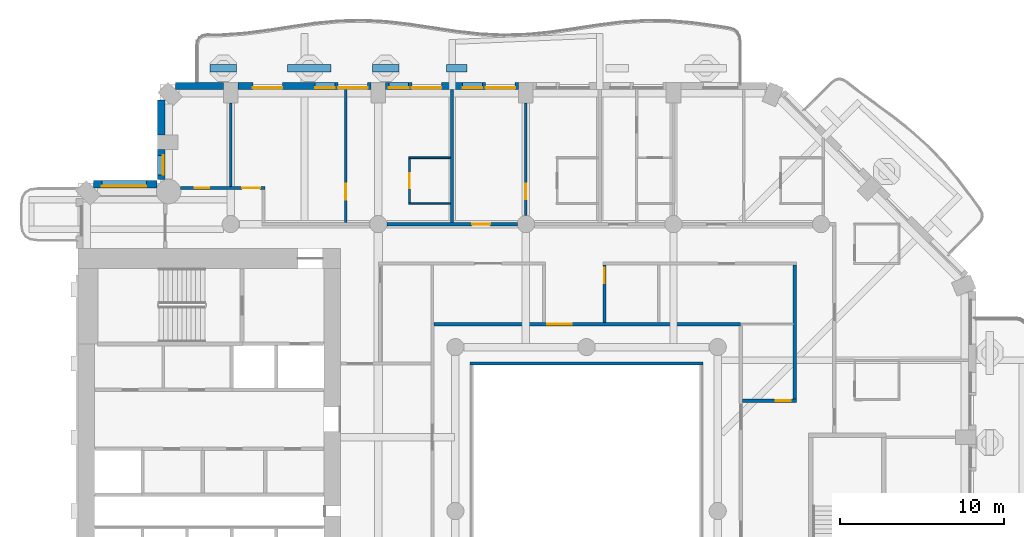
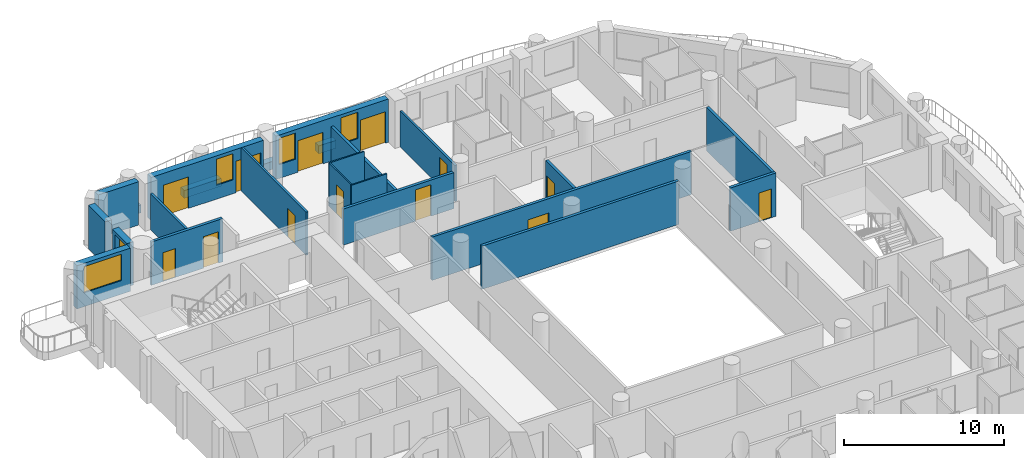
# One storey, part 8 of 20: 24 walls, 13 doors, 5 windows, 18 openings.
"""IFC4 building model written with IfcOpenShell, lengths in metres."""

from ifc_helpers import new_model, si_unit, direction, frame, frame_2d, origin, place, context, subcontext, project, spatial, rectangle, extrude, material, layer, layer_set, type_object, element, fill, save


model = new_model("IFC4")

# Units and contexts
model_context = context("Model", 3, precision=1e-05, world=origin(), true_north=direction((0.0, 1.0)))
body_context = subcontext(model_context, "Body", "Model", "MODEL_VIEW")
ifc_project = project(units=[si_unit("LENGTHUNIT", "METRE"), si_unit("AREAUNIT", "SQUARE_METRE"), si_unit("VOLUMEUNIT", "CUBIC_METRE"), si_unit("PLANEANGLEUNIT", "RADIAN"), si_unit("MASSUNIT", "GRAM", prefix="KILO")], contexts=[model_context])

# Site, building, storey
site_placement = place(None, origin())
site = spatial("IfcSite", under=ifc_project, at=site_placement, CompositionType="ELEMENT")
building_placement = place(site_placement, origin())
building = spatial("IfcBuilding", under=site, at=building_placement, Name="Cypress Arch Tower", CompositionType="ELEMENT")
storey_placement = place(building_placement, frame((0.0, 0.0, 134.699951171875)))
storey = spatial("IfcBuildingStorey", under=building, at=storey_placement, Name="L29", CompositionType="ELEMENT", Elevation=134.699951171875)

# Walls
ifc_material_1 = material(Name="Concrete C40/50, waterproofed", Category="concrete")
ifc_layer_1 = layer(ifc_material_1, 0.449951171875)
ifc_layer_set_1 = layer_set([ifc_layer_1], Name="Balcony planter wall PW450")
wall_type_1 = type_object("IfcWallType", Name="Balcony planter wall PW450", PredefinedType="SOLIDWALL", material=ifc_layer_set_1)
wall_1_placement = place(storey_placement, frame((-6.300048828125, 27.0, 0.0), z_axis=(0.0, 0.0, 1.0), x_axis=(-1.0, 0.0, 0.0)))
element("IfcWall", 1, at=wall_1_placement, inside=storey, type_object=wall_type_1, Name="Balcony planter wall L29-A08.3", PredefinedType="SOLIDWALL", context=body_context, shape_type="SweptSolid", body=[
    extrude(rectangle(XDim=1.25, YDim=0.449951171875, at=frame_2d((0.625, 0.0))), origin(), (0.0, 0.0, 1.0), 0.60009765625),
])
wall_2_placement = place(storey_placement, frame((-10.4375, 27.0, 0.0), z_axis=(0.0, 0.0, 1.0), x_axis=(-1.0, 0.0, 0.0)))
element("IfcWall", 2, at=wall_2_placement, inside=storey, type_object=wall_type_1, Name="Balcony planter wall L29-A08.4", PredefinedType="SOLIDWALL", context=body_context, shape_type="SweptSolid", body=[
    extrude(rectangle(XDim=1.612548828125, YDim=0.449951171875, at=frame_2d((0.80615234375, 0.0))), origin(), (0.0, 0.0, 1.0), 0.60009765625),
])
wall_3_placement = place(storey_placement, frame((-14.574951171875, 27.0, 0.0), z_axis=(0.0, 0.0, 1.0), x_axis=(-1.0, 0.0, 0.0)))
element("IfcWall", 3, at=wall_3_placement, inside=storey, type_object=wall_type_1, Name="Balcony planter wall L29-A08.5", PredefinedType="SOLIDWALL", context=body_context, shape_type="SweptSolid", body=[
    extrude(rectangle(XDim=2.675048828125, YDim=0.449951171875, at=frame_2d((1.33740234375, 0.0))), origin(), (0.0, 0.0, 1.0), 0.60009765625),
])
wall_4_placement = place(storey_placement, frame((-20.35009765625, 27.0, 0.0), z_axis=(0.0, 0.0, 1.0), x_axis=(-1.0, 0.0, 0.0)))
element("IfcWall", 4, at=wall_4_placement, inside=storey, type_object=wall_type_1, Name="Balcony planter wall L29-A08.6", PredefinedType="SOLIDWALL", context=body_context, shape_type="SweptSolid", body=[
    extrude(rectangle(XDim=1.599853515625, YDim=0.449951171875, at=frame_2d((0.7998046875, 0.0))), origin(), (0.0, 0.0, 1.0), 0.60009765625),
])

# Wall, openings, doors, windows
ifc_material_2 = material(Name="Brick (red buff blend)", Category="masonry")
ifc_layer_2 = layer(ifc_material_2, 0.449951171875)
ifc_layer_set_2 = layer_set([ifc_layer_2], Name="Brick pier and spandrel wall BW450")
wall_type_2 = type_object("IfcWallType", Name="Brick pier and spandrel wall BW450", PredefinedType="SOLIDWALL", material=ifc_layer_set_2)
wall_5_placement = place(storey_placement, frame((-3.14990234375, 25.925048828125, 0.0), z_axis=(0.0, 0.0, 1.0), x_axis=(-1.0, 0.0, 0.0)))
wall_5 = element("IfcWall", 5, at=wall_5_placement, inside=storey, type_object=wall_type_2, Name="Brick wall L29 A08.2", PredefinedType="SOLIDWALL", context=body_context, shape_type="SweptSolid", body=[
    extrude(rectangle(XDim=8.10009765625, YDim=0.449951171875, at=frame_2d((4.050048828125, 0.0))), origin(), (0.0, 0.0, 1.0), 3.300048828125),
])
opening_1_placement = place(wall_5_placement, frame((0.199951171875, 0.0, 0.0)))
opening_1 = element("IfcOpeningElement", 6, at=opening_1_placement, cuts=wall_5, Name="Opening D-L29-A08.2.1", PredefinedType="OPENING", context=body_context, shape_type="SweptSolid", body=[
    extrude(rectangle(XDim=1.800048828125, YDim=2.39990234375, at=frame_2d((0.89990234375, 1.199951171875))), frame((0.0, 0.23486328125, 0.0), z_axis=(0.0, -1.0, 0.0), x_axis=(1.0, 0.0, 0.0)), (0.0, 0.0, 1.0), 0.469970703125),
])
opening_2_placement = place(wall_5_placement, frame((2.199951171875, 0.0, 1.050048828125)))
opening_2 = element("IfcOpeningElement", 7, at=opening_2_placement, cuts=wall_5, Name="Opening W120HD", PredefinedType="OPENING", context=body_context, shape_type="SweptSolid", body=[
    extrude(rectangle(XDim=1.199951171875, YDim=2.0, at=frame_2d((0.60009765625, 1.0))), frame((0.0, 0.23486328125, 0.0), z_axis=(0.0, -1.0, 0.0), x_axis=(1.0, 0.0, 0.0)), (0.0, 0.0, 1.0), 0.469970703125),
])
opening_3_placement = place(wall_5_placement, frame((4.699951171875, 0.0, 0.0)))
opening_3 = element("IfcOpeningElement", 8, at=opening_3_placement, cuts=wall_5, Name="Opening D-L29-A08.2.2", PredefinedType="OPENING", context=body_context, shape_type="SweptSolid", body=[
    extrude(rectangle(XDim=1.800048828125, YDim=2.39990234375, at=frame_2d((0.89990234375, 1.199951171875))), frame((0.0, 0.23486328125, 0.0), z_axis=(0.0, -1.0, 0.0), x_axis=(1.0, 0.0, 0.0)), (0.0, 0.0, 1.0), 0.469970703125),
])
opening_4_placement = place(wall_5_placement, frame((6.699951171875, 0.0, 1.050048828125)))
opening_4 = element("IfcOpeningElement", 9, at=opening_4_placement, cuts=wall_5, Name="Opening W120HD", PredefinedType="OPENING", context=body_context, shape_type="SweptSolid", body=[
    extrude(rectangle(XDim=1.199951171875, YDim=2.0, at=frame_2d((0.60009765625, 1.0))), frame((0.0, 0.23486328125, 0.0), z_axis=(0.0, -1.0, 0.0), x_axis=(1.0, 0.0, 0.0)), (0.0, 0.0, 1.0), 0.469970703125),
])
ifc_material_3 = material(Name="Anodised aluminium, bronze finish, laminated low-emissivity double glazing, large-missile impact rated", Category="aluminium")
door_type_1 = type_object("IfcDoorType", Name="Balcony sliding door 1800x2400", OperationType="SLIDING_TO_LEFT", PredefinedType="DOOR", material=ifc_material_3)
door_1_placement = place(opening_1_placement, origin())
door_1 = element("IfcDoor", 10, at=door_1_placement, inside=storey, type_object=door_type_1, Name="Balcony door L29 A08.2.1", OperationType="SLIDING_TO_LEFT", OverallHeight=2.39990234375, OverallWidth=1.800048828125, PredefinedType="DOOR", context=body_context, shape_type="SweptSolid", body=[
    extrude(rectangle(XDim=1.800048828125, YDim=2.39990234375, at=frame_2d((0.89990234375, 1.199951171875))), frame((0.0, 0.1298828125, 0.0), z_axis=(0.0, -1.0, 0.0), x_axis=(1.0, 0.0, 0.0)), (0.0, 0.0, 1.0), 0.050048828125),
])
fill(opening_1, door_1)
door_2_placement = place(opening_3_placement, origin())
door_2 = element("IfcDoor", 11, at=door_2_placement, inside=storey, type_object=door_type_1, Name="Balcony door L29 A08.2.2", OperationType="SLIDING_TO_LEFT", OverallHeight=2.39990234375, OverallWidth=1.800048828125, PredefinedType="DOOR", context=body_context, shape_type="SweptSolid", body=[
    extrude(rectangle(XDim=1.800048828125, YDim=2.39990234375, at=frame_2d((0.89990234375, 1.199951171875))), frame((0.0, 0.1298828125, 0.0), z_axis=(0.0, -1.0, 0.0), x_axis=(1.0, 0.0, 0.0)), (0.0, 0.0, 1.0), 0.050048828125),
])
fill(opening_3, door_2)
ifc_material_4 = material(Name="Anodised aluminium, bronze finish, laminated low-emissivity double glazing, large-missile impact rated", Category="aluminium")
window_type_1 = type_object("IfcWindowType", Name="Window Hotel 1200x2000 debris-rated", PartitioningType="SINGLE_PANEL", PredefinedType="WINDOW", material=ifc_material_4)
window_1_placement = place(opening_2_placement, origin())
window_1 = element("IfcWindow", 12, at=window_1_placement, inside=storey, type_object=window_type_1, Name="Window L29 A08.2.1", OverallHeight=2.0, OverallWidth=1.199951171875, PartitioningType="SINGLE_PANEL", PredefinedType="WINDOW", context=body_context, shape_type="SweptSolid", body=[
    extrude(rectangle(XDim=1.199951171875, YDim=2.0, at=frame_2d((0.60009765625, 1.0))), frame((0.0, 0.135009765625, 0.0), z_axis=(0.0, -1.0, 0.0), x_axis=(1.0, 0.0, 0.0)), (0.0, 0.0, 1.0), 0.06005859375),
])
fill(opening_2, window_1)
window_2_placement = place(opening_4_placement, origin())
window_2 = element("IfcWindow", 13, at=window_2_placement, inside=storey, type_object=window_type_1, Name="Window L29 A08.2.2", OverallHeight=2.0, OverallWidth=1.199951171875, PartitioningType="SINGLE_PANEL", PredefinedType="WINDOW", context=body_context, shape_type="SweptSolid", body=[
    extrude(rectangle(XDim=1.199951171875, YDim=2.0, at=frame_2d((0.60009765625, 1.0))), frame((0.0, 0.135009765625, 0.0), z_axis=(0.0, -1.0, 0.0), x_axis=(1.0, 0.0, 0.0)), (0.0, 0.0, 1.0), 0.06005859375),
])
fill(opening_4, window_2)

# Wall, openings, doors, window
wall_6_placement = place(storey_placement, frame((-12.14990234375, 25.925048828125, 0.0), z_axis=(0.0, 0.0, 1.0), x_axis=(-1.0, 0.0, 0.0)))
wall_6 = element("IfcWall", 14, at=wall_6_placement, inside=storey, type_object=wall_type_2, Name="Brick wall L29 A08.3", PredefinedType="SOLIDWALL", context=body_context, shape_type="SweptSolid", body=[
    extrude(rectangle(XDim=8.10009765625, YDim=0.449951171875, at=frame_2d((4.050048828125, 0.0))), origin(), (0.0, 0.0, 1.0), 3.300048828125),
])
opening_5_placement = place(wall_6_placement, frame((0.199951171875, 0.0, 0.0)))
opening_5 = element("IfcOpeningElement", 15, at=opening_5_placement, cuts=wall_6, Name="Opening D-L29-A08.3.1", PredefinedType="OPENING", context=body_context, shape_type="SweptSolid", body=[
    extrude(rectangle(XDim=1.800048828125, YDim=2.39990234375, at=frame_2d((0.89990234375, 1.199951171875))), frame((0.0, 0.23486328125, 0.0), z_axis=(0.0, -1.0, 0.0), x_axis=(1.0, 0.0, 0.0)), (0.0, 0.0, 1.0), 0.469970703125),
])
opening_6_placement = place(wall_6_placement, frame((2.199951171875, 0.0, 1.050048828125)))
opening_6 = element("IfcOpeningElement", 16, at=opening_6_placement, cuts=wall_6, Name="Opening W120HD", PredefinedType="OPENING", context=body_context, shape_type="SweptSolid", body=[
    extrude(rectangle(XDim=1.199951171875, YDim=2.0, at=frame_2d((0.60009765625, 1.0))), frame((0.0, 0.23486328125, 0.0), z_axis=(0.0, -1.0, 0.0), x_axis=(1.0, 0.0, 0.0)), (0.0, 0.0, 1.0), 0.469970703125),
])
opening_7_placement = place(wall_6_placement, frame((5.39990234375, 0.0, 0.0)))
opening_7 = element("IfcOpeningElement", 17, at=opening_7_placement, cuts=wall_6, Name="Opening D-L29-A08.3.2", PredefinedType="OPENING", context=body_context, shape_type="SweptSolid", body=[
    extrude(rectangle(XDim=1.800048828125, YDim=2.39990234375, at=frame_2d((0.89990234375, 1.199951171875))), frame((0.0, 0.23486328125, 0.0), z_axis=(0.0, -1.0, 0.0), x_axis=(1.0, 0.0, 0.0)), (0.0, 0.0, 1.0), 0.469970703125),
])
door_3_placement = place(opening_5_placement, origin())
door_3 = element("IfcDoor", 18, at=door_3_placement, inside=storey, type_object=door_type_1, Name="Balcony door L29 A08.3.1", OperationType="SLIDING_TO_LEFT", OverallHeight=2.39990234375, OverallWidth=1.800048828125, PredefinedType="DOOR", context=body_context, shape_type="SweptSolid", body=[
    extrude(rectangle(XDim=1.800048828125, YDim=2.39990234375, at=frame_2d((0.89990234375, 1.199951171875))), frame((0.0, 0.1298828125, 0.0), z_axis=(0.0, -1.0, 0.0), x_axis=(1.0, 0.0, 0.0)), (0.0, 0.0, 1.0), 0.050048828125),
])
fill(opening_5, door_3)
door_4_placement = place(opening_7_placement, origin())
door_4 = element("IfcDoor", 19, at=door_4_placement, inside=storey, type_object=door_type_1, Name="Balcony door L29 A08.3.2", OperationType="SLIDING_TO_LEFT", OverallHeight=2.39990234375, OverallWidth=1.800048828125, PredefinedType="DOOR", context=body_context, shape_type="SweptSolid", body=[
    extrude(rectangle(XDim=1.800048828125, YDim=2.39990234375, at=frame_2d((0.89990234375, 1.199951171875))), frame((0.0, 0.1298828125, 0.0), z_axis=(0.0, -1.0, 0.0), x_axis=(1.0, 0.0, 0.0)), (0.0, 0.0, 1.0), 0.050048828125),
])
fill(opening_7, door_4)
window_3_placement = place(opening_6_placement, origin())
window_3 = element("IfcWindow", 20, at=window_3_placement, inside=storey, type_object=window_type_1, Name="Window L29 A08.3.1", OverallHeight=2.0, OverallWidth=1.199951171875, PartitioningType="SINGLE_PANEL", PredefinedType="WINDOW", context=body_context, shape_type="SweptSolid", body=[
    extrude(rectangle(XDim=1.199951171875, YDim=2.0, at=frame_2d((0.60009765625, 1.0))), frame((0.0, 0.135009765625, 0.0), z_axis=(0.0, -1.0, 0.0), x_axis=(1.0, 0.0, 0.0)), (0.0, 0.0, 1.0), 0.06005859375),
])
fill(opening_6, window_3)

# Walls
wall_7_placement = place(storey_placement, frame((-21.14990234375, 25.925048828125, 0.0), z_axis=(0.0, 0.0, 1.0), x_axis=(-1.0, 0.0, 0.0)))
element("IfcWall", 21, at=wall_7_placement, inside=storey, type_object=wall_type_2, Name="Brick wall L29 A08.4", PredefinedType="SOLIDWALL", context=body_context, shape_type="SweptSolid", body=[
    extrude(rectangle(XDim=2.913818359375, YDim=0.449951171875, at=frame_2d((1.45703125, 0.0))), origin(), (0.0, 0.0, 1.0), 3.300048828125),
])
wall_8_placement = place(storey_placement, frame((-24.925048828125, 25.063720703125, 0.0), z_axis=(0.0, 0.0, 1.0), x_axis=(0.0, -1.0, 0.0)))
element("IfcWall", 22, at=wall_8_placement, inside=storey, type_object=wall_type_2, Name="Brick wall L29 A09.0", PredefinedType="SOLIDWALL", context=body_context, shape_type="SweptSolid", body=[
    extrude(rectangle(XDim=2.11376953125, YDim=0.449951171875, at=frame_2d((1.056884765625, 0.0))), origin(), (0.0, 0.0, 1.0), 3.300048828125),
])

# Wall, opening, window
wall_9_placement = place(storey_placement, frame((-24.925048828125, 22.050048828125, 0.0), z_axis=(0.0, 0.0, 1.0), x_axis=(0.0, -1.0, 0.0)))
wall_9 = element("IfcWall", 23, at=wall_9_placement, inside=storey, type_object=wall_type_2, Name="Brick wall L29 A09.1", PredefinedType="SOLIDWALL", context=body_context, shape_type="SweptSolid", body=[
    extrude(rectangle(XDim=1.843017578125, YDim=0.449951171875, at=frame_2d((0.92138671875, 0.0))), origin(), (0.0, 0.0, 1.0), 3.300048828125),
])
opening_8_placement = place(wall_9_placement, frame((0.35009765625, 0.0, 1.050048828125)))
opening_8 = element("IfcOpeningElement", 24, at=opening_8_placement, cuts=wall_9, Name="Opening W120H", PredefinedType="OPENING", context=body_context, shape_type="SweptSolid", body=[
    extrude(rectangle(XDim=1.199951171875, YDim=2.0, at=frame_2d((0.60009765625, 1.0))), frame((0.0, 0.23486328125, 0.0), z_axis=(0.0, -1.0, 0.0), x_axis=(1.0, 0.0, 0.0)), (0.0, 0.0, 1.0), 0.469970703125),
])
ifc_material_5 = material(Name="Anodised aluminium, bronze finish, clear low-emissivity double glazing", Category="aluminium")
window_type_2 = type_object("IfcWindowType", Name="Window Hotel 1200x2000", PartitioningType="SINGLE_PANEL", PredefinedType="WINDOW", material=ifc_material_5)
window_4_placement = place(opening_8_placement, origin())
window_4 = element("IfcWindow", 25, at=window_4_placement, inside=storey, type_object=window_type_2, Name="Window L29 A09.1.1", OverallHeight=2.0, OverallWidth=1.199951171875, PartitioningType="SINGLE_PANEL", PredefinedType="WINDOW", context=body_context, shape_type="SweptSolid", body=[
    extrude(rectangle(XDim=1.199951171875, YDim=2.0, at=frame_2d((0.60009765625, 1.0))), frame((0.0, 0.135009765625, 0.0), z_axis=(0.0, -1.0, 0.0), x_axis=(1.0, 0.0, 0.0)), (0.0, 0.0, 1.0), 0.06005859375),
])
fill(opening_8, window_4)

wall_10_placement = place(storey_placement, frame((-25.20703125, 19.925048828125, 0.0), z_axis=(0.0, 0.0, 1.0), x_axis=(-1.0, 0.0, 0.0)))
wall_10 = element("IfcWall", 26, at=wall_10_placement, inside=storey, type_object=wall_type_2, Name="Brick wall L29 A10.0", PredefinedType="SOLIDWALL", context=body_context, shape_type="SweptSolid", body=[
    extrude(rectangle(XDim=3.856689453125, YDim=0.449951171875, at=frame_2d((1.92822265625, 0.0))), origin(), (0.0, 0.0, 1.0), 3.300048828125),
])
opening_9_placement = place(wall_10_placement, frame((0.64306640625, 0.0, 1.050048828125)))
opening_9 = element("IfcOpeningElement", 27, at=opening_9_placement, cuts=wall_10, Name="Opening W270H", PredefinedType="OPENING", context=body_context, shape_type="SweptSolid", body=[
    extrude(rectangle(XDim=2.699951171875, YDim=2.0, at=frame_2d((1.35009765625, 1.0))), frame((0.0, 0.23486328125, 0.0), z_axis=(0.0, -1.0, 0.0), x_axis=(1.0, 0.0, 0.0)), (0.0, 0.0, 1.0), 0.469970703125),
])
ifc_material_6 = material(Name="Anodised aluminium, bronze finish, clear low-emissivity double glazing", Category="aluminium")
window_type_3 = type_object("IfcWindowType", Name="Window Hotel 2700x2000", PartitioningType="SINGLE_PANEL", PredefinedType="WINDOW", material=ifc_material_6)
window_5_placement = place(opening_9_placement, origin())
window_5 = element("IfcWindow", 28, at=window_5_placement, inside=storey, type_object=window_type_3, Name="Window L29 A10.0.1", OverallHeight=2.0, OverallWidth=2.699951171875, PartitioningType="SINGLE_PANEL", PredefinedType="WINDOW", context=body_context, shape_type="SweptSolid", body=[
    extrude(rectangle(XDim=2.699951171875, YDim=2.0, at=frame_2d((1.35009765625, 1.0))), frame((0.0, 0.135009765625, 0.0), z_axis=(0.0, -1.0, 0.0), x_axis=(1.0, 0.0, 0.0)), (0.0, 0.0, 1.0), 0.06005859375),
])
fill(opening_9, window_5)

# Wall, openings, doors
ifc_material_7 = material(Name="Concrete blockwork, plastered, rated", Category="masonry")
ifc_layer_3 = layer(ifc_material_7, 0.199951171875)
ifc_layer_set_3 = layer_set([ifc_layer_3], Name="Corridor wall FW200")
wall_type_3 = type_object("IfcWallType", Name="Corridor wall FW200", PredefinedType="PARTITIONING", material=ifc_layer_set_3)
wall_11_placement = place(storey_placement, frame((-23.752197265625, 19.699951171875, 0.0), z_axis=(0.0, 0.0, 1.0), x_axis=(1.0, 0.0, 0.0)))
wall_11 = element("IfcWall", 29, at=wall_11_placement, inside=storey, type_object=wall_type_3, Name="Corridor wall", PredefinedType="PARTITIONING", context=body_context, shape_type="SweptSolid", body=[
    extrude(rectangle(XDim=5.152099609375, YDim=0.199951171875, at=frame_2d((2.576171875, 0.0))), origin(), (0.0, 0.0, 1.0), 3.300048828125),
])
opening_10_placement = place(wall_11_placement, frame((0.85009765625, 0.0, 0.0)))
opening_10 = element("IfcOpeningElement", 30, at=opening_10_placement, cuts=wall_11, Name="Opening D05", PredefinedType="OPENING", context=body_context, shape_type="SweptSolid", body=[
    extrude(rectangle(XDim=0.89990234375, YDim=2.199951171875, at=frame_2d((0.449951171875, 1.10009765625))), frame((0.0, 0.10986328125, 0.0), z_axis=(0.0, -1.0, 0.0), x_axis=(1.0, 0.0, 0.0)), (0.0, 0.0, 1.0), 0.219970703125),
])
opening_11_placement = place(wall_11_placement, frame((3.75, 0.0, 0.0)))
opening_11 = element("IfcOpeningElement", 31, at=opening_11_placement, cuts=wall_11, Name="Opening D01", PredefinedType="OPENING", context=body_context, shape_type="SweptSolid", body=[
    extrude(rectangle(XDim=1.10009765625, YDim=2.39990234375, at=frame_2d((0.550048828125, 1.199951171875))), frame((0.0, 0.10986328125, 0.0), z_axis=(0.0, -1.0, 0.0), x_axis=(1.0, 0.0, 0.0)), (0.0, 0.0, 1.0), 0.219970703125),
])
ifc_material_8 = material(Name="Timber flush door", Category="wood")
door_type_2 = type_object("IfcDoorType", Name="Service door D05 900x2200", OperationType="SINGLE_SWING_LEFT", PredefinedType="DOOR", material=ifc_material_8)
door_5_placement = place(opening_10_placement, origin())
door_5 = element("IfcDoor", 32, at=door_5_placement, inside=storey, type_object=door_type_2, Name="Service door", OperationType="SINGLE_SWING_LEFT", OverallHeight=2.199951171875, OverallWidth=0.89990234375, PredefinedType="DOOR", context=body_context, shape_type="SweptSolid", body=[
    extrude(rectangle(XDim=0.89990234375, YDim=2.199951171875, at=frame_2d((0.449951171875, 1.10009765625))), frame((0.0, 0.02490234375, 0.0), z_axis=(0.0, -1.0, 0.0), x_axis=(1.0, 0.0, 0.0)), (0.0, 0.0, 1.0), 0.050048828125),
])
fill(opening_10, door_5)
ifc_material_9 = material(Name="Timber flush door, fire resisting, self-closing", Category="wood")
door_type_3 = type_object("IfcDoorType", Name="Unit entrance door D01 1100x2400", OperationType="SINGLE_SWING_LEFT", PredefinedType="DOOR", material=ifc_material_9)
door_6_placement = place(opening_11_placement, origin())
door_6 = element("IfcDoor", 33, at=door_6_placement, inside=storey, type_object=door_type_3, Name="Unit entrance door", OperationType="SINGLE_SWING_LEFT", OverallHeight=2.39990234375, OverallWidth=1.10009765625, PredefinedType="DOOR", context=body_context, shape_type="SweptSolid", body=[
    extrude(rectangle(XDim=1.10009765625, YDim=2.39990234375, at=frame_2d((0.550048828125, 1.199951171875))), frame((0.0, 0.02490234375, 0.0), z_axis=(0.0, -1.0, 0.0), x_axis=(1.0, 0.0, 0.0)), (0.0, 0.0, 1.0), 0.050048828125),
])
fill(opening_11, door_6)

# Wall, opening, door
wall_12_placement = place(storey_placement, frame((-11.175048828125, 17.5, 0.0), z_axis=(0.0, 0.0, 1.0), x_axis=(1.0, 0.0, 0.0)))
wall_12 = element("IfcWall", 34, at=wall_12_placement, inside=storey, type_object=wall_type_3, Name="Corridor wall", PredefinedType="PARTITIONING", context=body_context, shape_type="SweptSolid", body=[
    extrude(rectangle(XDim=7.949951171875, YDim=0.199951171875, at=frame_2d((3.97509765625, 0.0))), origin(), (0.0, 0.0, 1.0), 2.75),
])
opening_12_placement = place(wall_12_placement, frame((5.199951171875, 0.0, 0.0)))
opening_12 = element("IfcOpeningElement", 35, at=opening_12_placement, cuts=wall_12, Name="Opening D01", PredefinedType="OPENING", context=body_context, shape_type="SweptSolid", body=[
    extrude(rectangle(XDim=1.10009765625, YDim=2.39990234375, at=frame_2d((0.550048828125, 1.199951171875))), frame((0.0, 0.10986328125, 0.0), z_axis=(0.0, -1.0, 0.0), x_axis=(1.0, 0.0, 0.0)), (0.0, 0.0, 1.0), 0.219970703125),
])
door_7_placement = place(opening_12_placement, origin())
door_7 = element("IfcDoor", 36, at=door_7_placement, inside=storey, type_object=door_type_3, Name="Unit entrance door", OperationType="SINGLE_SWING_LEFT", OverallHeight=2.39990234375, OverallWidth=1.10009765625, PredefinedType="DOOR", context=body_context, shape_type="SweptSolid", body=[
    extrude(rectangle(XDim=1.10009765625, YDim=2.39990234375, at=frame_2d((0.550048828125, 1.199951171875))), frame((0.0, 0.02490234375, 0.0), z_axis=(0.0, -1.0, 0.0), x_axis=(1.0, 0.0, 0.0)), (0.0, 0.0, 1.0), 0.050048828125),
])
fill(opening_12, door_7)

wall_13_placement = place(storey_placement, frame((-8.300048828125, 11.39990234375, 0.0), z_axis=(0.0, 0.0, 1.0), x_axis=(1.0, 0.0, 0.0)))
wall_13 = element("IfcWall", 37, at=wall_13_placement, inside=storey, type_object=wall_type_3, Name="Corridor wall", PredefinedType="PARTITIONING", context=body_context, shape_type="SweptSolid", body=[
    extrude(rectangle(XDim=18.699951171875, YDim=0.199951171875, at=frame_2d((9.35009765625, 0.0))), origin(), (0.0, 0.0, 1.0), 3.300048828125),
])
opening_13_placement = place(wall_13_placement, frame((6.89990234375, 0.0, 0.0)))
opening_13 = element("IfcOpeningElement", 38, at=opening_13_placement, cuts=wall_13, Name="Opening D04", PredefinedType="OPENING", context=body_context, shape_type="SweptSolid", body=[
    extrude(rectangle(XDim=1.5, YDim=2.199951171875, at=frame_2d((0.75, 1.10009765625))), frame((0.0, 0.10986328125, 0.0), z_axis=(0.0, -1.0, 0.0), x_axis=(1.0, 0.0, 0.0)), (0.0, 0.0, 1.0), 0.219970703125),
])
ifc_material_10 = material(Name="Timber double door", Category="wood")
door_type_4 = type_object("IfcDoorType", Name="Double door D04 1500x2200", OperationType="DOUBLE_DOOR_SINGLE_SWING", PredefinedType="DOOR", material=ifc_material_10)
door_8_placement = place(opening_13_placement, origin())
door_8 = element("IfcDoor", 39, at=door_8_placement, inside=storey, type_object=door_type_4, Name="Double door", OperationType="DOUBLE_DOOR_SINGLE_SWING", OverallHeight=2.199951171875, OverallWidth=1.5, PredefinedType="DOOR", context=body_context, shape_type="SweptSolid", body=[
    extrude(rectangle(XDim=1.5, YDim=2.199951171875, at=frame_2d((0.75, 1.10009765625))), frame((0.0, 0.02490234375, 0.0), z_axis=(0.0, -1.0, 0.0), x_axis=(1.0, 0.0, 0.0)), (0.0, 0.0, 1.0), 0.050048828125),
])
fill(opening_13, door_8)

# Wall
wall_14_placement = place(storey_placement, frame((-6.10009765625, 9.0, 0.0), z_axis=(0.0, 0.0, 1.0), x_axis=(1.0, 0.0, 0.0)))
element("IfcWall", 40, at=wall_14_placement, inside=storey, type_object=wall_type_3, Name="Corridor wall", PredefinedType="PARTITIONING", context=body_context, shape_type="SweptSolid", body=[
    extrude(rectangle(XDim=14.2001953125, YDim=0.199951171875, at=frame_2d((7.10009765625, 0.0))), origin(), (0.0, 0.0, 1.0), 3.300048828125),
])

# Wall, opening, door
wall_15_placement = place(storey_placement, frame((2.10009765625, 11.5, 0.0), z_axis=(0.0, 0.0, 1.0), x_axis=(0.0, 1.0, 0.0)))
wall_15 = element("IfcWall", 41, at=wall_15_placement, inside=storey, type_object=wall_type_3, Name="Corridor wall", PredefinedType="PARTITIONING", context=body_context, shape_type="SweptSolid", body=[
    extrude(rectangle(XDim=3.5, YDim=0.199951171875, at=frame_2d((1.75, 0.0))), origin(), (0.0, 0.0, 1.0), 3.300048828125),
])
opening_14_placement = place(wall_15_placement, frame((2.39990234375, 0.0, 0.0)))
opening_14 = element("IfcOpeningElement", 42, at=opening_14_placement, cuts=wall_15, Name="Opening D02", PredefinedType="OPENING", context=body_context, shape_type="SweptSolid", body=[
    extrude(rectangle(XDim=0.949951171875, YDim=2.199951171875, at=frame_2d((0.47509765625, 1.10009765625))), frame((0.0, 0.10986328125, 0.0), z_axis=(0.0, -1.0, 0.0), x_axis=(1.0, 0.0, 0.0)), (0.0, 0.0, 1.0), 0.219970703125),
])
ifc_material_11 = material(Name="Timber flush door, fire resisting", Category="wood")
door_type_5 = type_object("IfcDoorType", Name="Room door D02 950x2200", OperationType="SINGLE_SWING_LEFT", PredefinedType="DOOR", material=ifc_material_11)
door_9_placement = place(opening_14_placement, origin())
door_9 = element("IfcDoor", 43, at=door_9_placement, inside=storey, type_object=door_type_5, Name="Room door", OperationType="SINGLE_SWING_LEFT", OverallHeight=2.199951171875, OverallWidth=0.949951171875, PredefinedType="DOOR", context=body_context, shape_type="SweptSolid", body=[
    extrude(rectangle(XDim=0.949951171875, YDim=2.199951171875, at=frame_2d((0.47509765625, 1.10009765625))), frame((0.0, 0.02490234375, 0.0), z_axis=(0.0, -1.0, 0.0), x_axis=(1.0, 0.0, 0.0)), (0.0, 0.0, 1.0), 0.050048828125),
])
fill(opening_14, door_9)

wall_16_placement = place(storey_placement, frame((10.5, 6.72509765625, 0.0), z_axis=(0.0, 0.0, 1.0), x_axis=(1.0, 0.0, 0.0)))
wall_16 = element("IfcWall", 44, at=wall_16_placement, inside=storey, type_object=wall_type_3, Name="Corridor wall", PredefinedType="PARTITIONING", context=body_context, shape_type="SweptSolid", body=[
    extrude(rectangle(XDim=3.300048828125, YDim=0.199951171875, at=frame_2d((1.64990234375, 0.0))), origin(), (0.0, 0.0, 1.0), 3.300048828125),
])
opening_15_placement = place(wall_16_placement, frame((2.050048828125, 0.0, 0.0)))
opening_15 = element("IfcOpeningElement", 45, at=opening_15_placement, cuts=wall_16, Name="Opening D03", PredefinedType="OPENING", context=body_context, shape_type="SweptSolid", body=[
    extrude(rectangle(XDim=0.89990234375, YDim=2.199951171875, at=frame_2d((0.449951171875, 1.10009765625))), frame((0.0, 0.10986328125, 0.0), z_axis=(0.0, -1.0, 0.0), x_axis=(1.0, 0.0, 0.0)), (0.0, 0.0, 1.0), 0.219970703125),
])
ifc_material_12 = material(Name="Timber flush door, moisture resistant", Category="wood")
door_type_6 = type_object("IfcDoorType", Name="Bathroom door D03 900x2200", OperationType="SINGLE_SWING_LEFT", PredefinedType="DOOR", material=ifc_material_12)
door_10_placement = place(opening_15_placement, origin())
door_10 = element("IfcDoor", 46, at=door_10_placement, inside=storey, type_object=door_type_6, Name="Bathroom door", OperationType="SINGLE_SWING_RIGHT", OverallHeight=2.199951171875, OverallWidth=0.89990234375, PredefinedType="DOOR", context=body_context, shape_type="SweptSolid", body=[
    extrude(rectangle(XDim=0.89990234375, YDim=2.199951171875, at=frame_2d((0.449951171875, 1.10009765625))), frame((0.0, 0.02490234375, 0.0), z_axis=(0.0, -1.0, 0.0), x_axis=(1.0, 0.0, 0.0)), (0.0, 0.0, 1.0), 0.050048828125),
])
fill(opening_15, door_10)

# Walls
wall_17_placement = place(storey_placement, frame((13.699951171875, 6.824951171875, 0.0), z_axis=(0.0, 0.0, 1.0), x_axis=(0.0, 1.0, 0.0)))
element("IfcWall", 47, at=wall_17_placement, inside=storey, type_object=wall_type_3, Name="Corridor wall", PredefinedType="PARTITIONING", context=body_context, shape_type="SweptSolid", body=[
    extrude(rectangle(XDim=8.175048828125, YDim=0.199951171875, at=frame_2d((4.08740234375, 0.0))), origin(), (0.0, 0.0, 1.0), 3.300048828125),
])
ifc_material_13 = material(Name="Blockwork, plastered both sides", Category="masonry")
ifc_layer_4 = layer(ifc_material_13, 0.14990234375)
ifc_layer_set_4 = layer_set([ifc_layer_4], Name="Partition PW150")
wall_type_4 = type_object("IfcWallType", Name="Partition PW150", PredefinedType="PARTITIONING", material=ifc_layer_set_4)
wall_18_placement = place(storey_placement, frame((-20.699951171875, 19.800048828125, 0.0), z_axis=(0.0, 0.0, 1.0), x_axis=(0.0, 1.0, 0.0)))
element("IfcWall", 48, at=wall_18_placement, inside=storey, type_object=wall_type_4, Name="Partition", PredefinedType="PARTITIONING", context=body_context, shape_type="SweptSolid", body=[
    extrude(rectangle(XDim=5.099853515625, YDim=0.14990234375, at=frame_2d((2.5498046875, 0.0))), origin(), (0.0, 0.0, 1.0), 2.75),
])

# Wall, opening, door
wall_19_placement = place(storey_placement, frame((-13.680908203125, 17.60009765625, 0.0), z_axis=(0.0, 0.0, 1.0), x_axis=(0.0, 1.0, 0.0)))
wall_19 = element("IfcWall", 49, at=wall_19_placement, inside=storey, type_object=wall_type_4, Name="Partition", PredefinedType="PARTITIONING", context=body_context, shape_type="SweptSolid", body=[
    extrude(rectangle(XDim=8.099853515625, YDim=0.14990234375, at=frame_2d((4.0498046875, 0.0))), origin(), (0.0, 0.0, 1.0), 3.300048828125),
])
opening_16_placement = place(wall_19_placement, frame((1.39990234375, 0.0, 0.0)))
opening_16 = element("IfcOpeningElement", 50, at=opening_16_placement, cuts=wall_19, Name="Opening D12", PredefinedType="OPENING", context=body_context, shape_type="SweptSolid", body=[
    extrude(rectangle(XDim=0.949951171875, YDim=2.199951171875, at=frame_2d((0.47509765625, 1.10009765625))), frame((0.0, 0.0849609375, 0.0), z_axis=(0.0, -1.0, 0.0), x_axis=(1.0, 0.0, 0.0)), (0.0, 0.0, 1.0), 0.169921875),
])
ifc_material_14 = material(Name="Timber flush door", Category="wood")
door_type_7 = type_object("IfcDoorType", Name="Room door D12 950x2200", OperationType="SINGLE_SWING_LEFT", PredefinedType="DOOR", material=ifc_material_14)
door_11_placement = place(opening_16_placement, origin())
door_11 = element("IfcDoor", 51, at=door_11_placement, inside=storey, type_object=door_type_7, Name="Room door", OperationType="SINGLE_SWING_LEFT", OverallHeight=2.199951171875, OverallWidth=0.949951171875, PredefinedType="DOOR", context=body_context, shape_type="SweptSolid", body=[
    extrude(rectangle(XDim=0.949951171875, YDim=2.199951171875, at=frame_2d((0.47509765625, 1.10009765625))), frame((0.0, 0.02490234375, 0.0), z_axis=(0.0, -1.0, 0.0), x_axis=(1.0, 0.0, 0.0)), (0.0, 0.0, 1.0), 0.050048828125),
])
fill(opening_16, door_11)

wall_20_placement = place(storey_placement, frame((-2.699951171875, 18.02490234375, 0.0), z_axis=(0.0, 0.0, 1.0), x_axis=(0.0, 1.0, 0.0)))
wall_20 = element("IfcWall", 52, at=wall_20_placement, inside=storey, type_object=wall_type_4, Name="Partition", PredefinedType="PARTITIONING", context=body_context, shape_type="SweptSolid", body=[
    extrude(rectangle(XDim=6.875, YDim=0.14990234375, at=frame_2d((3.4375, 0.0))), origin(), (0.0, 0.0, 1.0), 2.75),
])
opening_17_placement = place(wall_20_placement, frame((1.0, 0.0, 0.0)))
opening_17 = element("IfcOpeningElement", 53, at=opening_17_placement, cuts=wall_20, Name="Opening D12", PredefinedType="OPENING", context=body_context, shape_type="SweptSolid", body=[
    extrude(rectangle(XDim=0.949951171875, YDim=2.199951171875, at=frame_2d((0.47509765625, 1.10009765625))), frame((0.0, 0.0849609375, 0.0), z_axis=(0.0, -1.0, 0.0), x_axis=(1.0, 0.0, 0.0)), (0.0, 0.0, 1.0), 0.169921875),
])
door_12_placement = place(opening_17_placement, origin())
door_12 = element("IfcDoor", 54, at=door_12_placement, inside=storey, type_object=door_type_7, Name="Room door", OperationType="SINGLE_SWING_LEFT", OverallHeight=2.199951171875, OverallWidth=0.949951171875, PredefinedType="DOOR", context=body_context, shape_type="SweptSolid", body=[
    extrude(rectangle(XDim=0.949951171875, YDim=2.199951171875, at=frame_2d((0.47509765625, 1.10009765625))), frame((0.0, 0.02490234375, 0.0), z_axis=(0.0, -1.0, 0.0), x_axis=(1.0, 0.0, 0.0)), (0.0, 0.0, 1.0), 0.050048828125),
])
fill(opening_17, door_12)

# Wall
ifc_material_15 = material(Name="Dense blockwork, plastered both sides, acoustic and rated", Category="masonry")
ifc_layer_5 = layer(ifc_material_15, 0.199951171875)
ifc_layer_set_5 = layer_set([ifc_layer_5], Name="Party wall PW200")
wall_type_5 = type_object("IfcWallType", Name="Party wall PW200", PredefinedType="PARTITIONING", material=ifc_layer_set_5)
wall_21_placement = place(storey_placement, frame((-7.199951171875, 17.60009765625, 0.0), z_axis=(0.0, 0.0, 1.0), x_axis=(0.0, 1.0, 0.0)))
element("IfcWall", 55, at=wall_21_placement, inside=storey, type_object=wall_type_5, Name="Party wall", PredefinedType="PARTITIONING", context=body_context, shape_type="SweptSolid", body=[
    extrude(rectangle(XDim=8.099853515625, YDim=0.199951171875, at=frame_2d((4.0498046875, 0.0))), origin(), (0.0, 0.0, 1.0), 2.650146484375),
])

# Wall, opening, door
ifc_material_16 = material(Name="Moisture resistant board on steel studs, tiled", Category="steel")
ifc_layer_6 = layer(ifc_material_16, 0.10009765625)
ifc_layer_set_6 = layer_set([ifc_layer_6], Name="Wet wall PW100")
wall_type_6 = type_object("IfcWallType", Name="Wet wall PW100", PredefinedType="PARTITIONING", material=ifc_layer_set_6)
wall_22_placement = place(storey_placement, frame((-9.7958984375, 18.800048828125, 0.0), z_axis=(0.0, 0.0, 1.0), x_axis=(0.0, 1.0, 0.0)))
wall_22 = element("IfcWall", 56, at=wall_22_placement, inside=storey, type_object=wall_type_6, Name="Wet wall", PredefinedType="PARTITIONING", context=body_context, shape_type="SweptSolid", body=[
    extrude(rectangle(XDim=2.699951171875, YDim=0.10009765625, at=frame_2d((1.35009765625, 0.0))), origin(), (0.0, 0.0, 1.0), 3.300048828125),
])
opening_18_placement = place(wall_22_placement, frame((0.89990234375, 0.0, 0.0)))
opening_18 = element("IfcOpeningElement", 57, at=opening_18_placement, cuts=wall_22, Name="Opening D03", PredefinedType="OPENING", context=body_context, shape_type="SweptSolid", body=[
    extrude(rectangle(XDim=0.89990234375, YDim=2.199951171875, at=frame_2d((0.449951171875, 1.10009765625))), frame((0.0, 0.06005859375, 0.0), z_axis=(0.0, -1.0, 0.0), x_axis=(1.0, 0.0, 0.0)), (0.0, 0.0, 1.0), 0.1201171875),
])
door_13_placement = place(opening_18_placement, origin())
door_13 = element("IfcDoor", 58, at=door_13_placement, inside=storey, type_object=door_type_6, Name="Bathroom door", OperationType="SINGLE_SWING_LEFT", OverallHeight=2.199951171875, OverallWidth=0.89990234375, PredefinedType="DOOR", context=body_context, shape_type="SweptSolid", body=[
    extrude(rectangle(XDim=0.89990234375, YDim=2.199951171875, at=frame_2d((0.449951171875, 1.10009765625))), frame((0.0, 0.02490234375, 0.0), z_axis=(0.0, -1.0, 0.0), x_axis=(1.0, 0.0, 0.0)), (0.0, 0.0, 1.0), 0.050048828125),
])
fill(opening_18, door_13)

# Walls
for number, where, z_axis, x_axis, name in (
    (59, (-9.845947265625, 18.75, 0.0), (0.0, 0.0, 1.0), (1.0, 0.0, 0.0), "Wet wall"),
    (60, (-9.845947265625, 21.550048828125, 0.0), (0.0, 0.0, 1.0), (1.0, 0.0, 0.0), "Wet wall"),
):
    element("IfcWall", number, at=place(storey_placement, frame(where, z_axis=z_axis, x_axis=x_axis)), inside=storey, type_object=wall_type_6, Name=name, PredefinedType="PARTITIONING", context=body_context, shape_type="SweptSolid", body=[
        extrude(rectangle(XDim=2.5458984375, YDim=0.10009765625, at=frame_2d((1.27294921875, 0.0))), origin(), (0.0, 0.0, 1.0), 3.300048828125),
    ])

save(model, "model.ifc")
